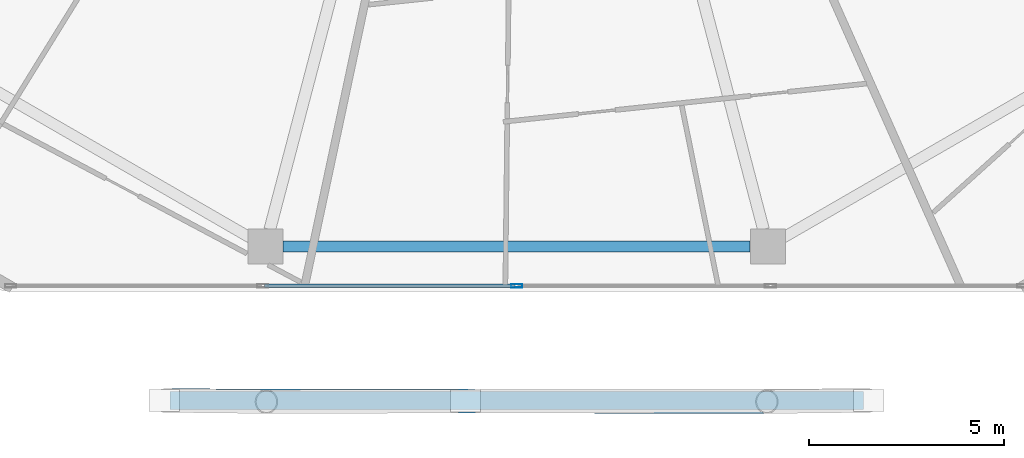
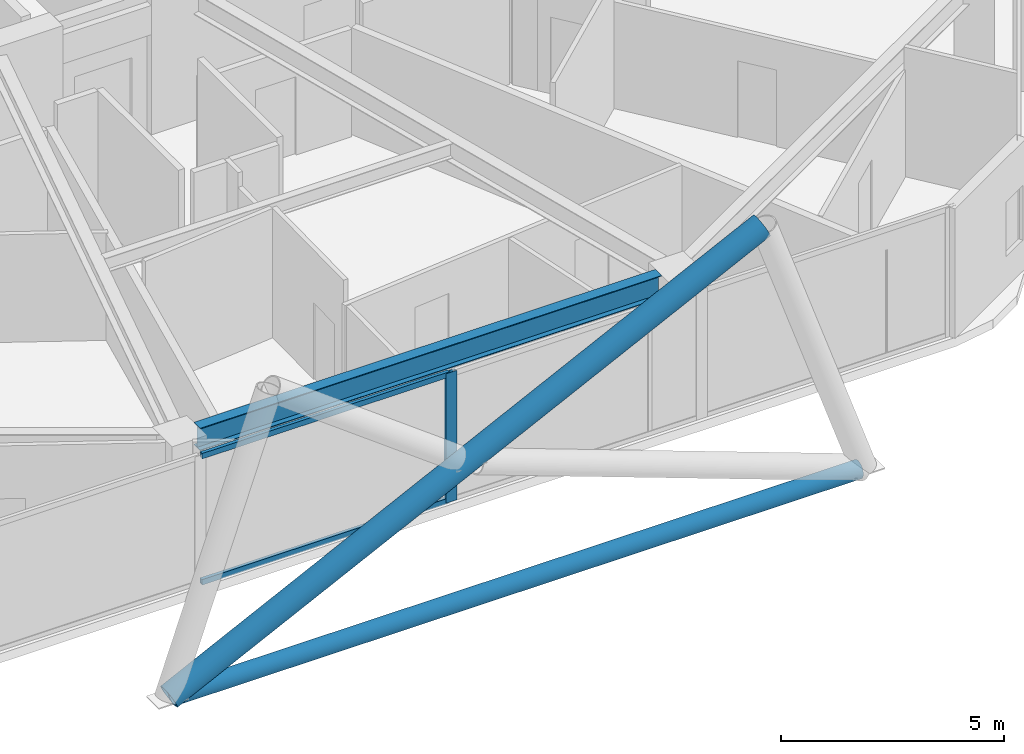
# One storey, part 4 of 29: 5 members, 1 beam, 1 element without a shape of its own.
"""IFC4 building model written with IfcOpenShell, lengths in metres."""

import ifcopenshell
import ifcopenshell.guid

model = None  # the IFC model being written
_history = None  # IfcOwnerHistory: only IFC2X3 demands one
_inside = {}  # id of a spatial element -> (the spatial element, [elements in it])
_under = {}  # id of a project, library or spatial element -> (it, [spatial elements below it])
_declared = {}  # id of a project -> (the project, [libraries it declares])
_typed = {}  # id of a type object -> (the type object, [elements of that type])
_made_of = {}  # id of a material, layer set ... -> (it, [elements and type objects made of it])


def new_model(schema):
    """Start an empty IFC model of exactly this schema.

    Asked for "IFC4X3", IfcOpenShell would pick the latest addendum, in which some entities
    have other attributes; the version numbers below select the first issue.
    IFC2X3 requires an IfcOwnerHistory on every rooted entity: one is made here for all.
    """
    global model, _history
    if schema == "IFC4X3":
        model = ifcopenshell.file(schema_version=(4, 3, 0, 0))
    else:
        model = ifcopenshell.file(schema=schema)
    _inside.clear()
    _under.clear()
    _declared.clear()
    _typed.clear()
    _made_of.clear()
    _history = None
    if model.schema == "IFC2X3":
        org = make("IfcOrganization", Name="unknown")
        user = make(
            "IfcPersonAndOrganization",
            ThePerson=make("IfcPerson", FamilyName="unknown"),
            TheOrganization=org,
        )
        app = make(
            "IfcApplication",
            ApplicationDeveloper=org,
            Version="unknown",
            ApplicationFullName="unknown",
            ApplicationIdentifier="unknown",
        )
        _history = make(
            "IfcOwnerHistory",
            OwningUser=user,
            OwningApplication=app,
            ChangeAction="ADDED",
            CreationDate=0,
        )
    return model


def make(cls, **values):
    """One entity of the class cls with the attributes given. An attribute that is None is left unset."""
    return model.create_entity(
        cls, **{name: value for name, value in values.items() if value is not None}
    )


def rooted(cls, **values):
    """An entity with a GlobalId (a new one), such as an element, a storey or a relation."""
    return make(cls, GlobalId=ifcopenshell.guid.new(), OwnerHistory=_history, **values)


def si_unit(unit_type, name, prefix=None):
    """IfcSIUnit, for example si_unit("LENGTHUNIT", "METRE", prefix="MILLI")."""
    return make("IfcSIUnit", UnitType=unit_type, Prefix=prefix, Name=name)


def assignment(units):
    """IfcUnitAssignment: the units of a project."""
    return None if units is None else make("IfcUnitAssignment", Units=units)


def point(xyz):
    """IfcCartesianPoint."""
    return None if xyz is None else make("IfcCartesianPoint", Coordinates=xyz)


def direction(xyz):
    """IfcDirection."""
    return None if xyz is None else make("IfcDirection", DirectionRatios=xyz)


def frame(location, z_axis=None, x_axis=None):
    """IfcAxis2Placement3D, a coordinate frame: its origin and axes. An axis left out is left unset."""
    return make(
        "IfcAxis2Placement3D",
        Location=point(location),
        Axis=direction(z_axis),
        RefDirection=direction(x_axis),
    )


def frame_2d(location, x_axis=None):
    """IfcAxis2Placement2D, a coordinate frame in the plane: its origin and x axis."""
    return make(
        "IfcAxis2Placement2D", Location=point(location), RefDirection=direction(x_axis)
    )


def origin():
    """The frame at (0, 0, 0) with its axes left unset."""
    return frame((0.0, 0.0, 0.0))


def origin_2d():
    """The frame at (0, 0) in the plane with its x axis left unset."""
    return frame_2d((0.0, 0.0))


def place(relative_to, where):
    """IfcLocalPlacement: puts the frame where relative to a parent placement (None: the world)."""
    return make(
        "IfcLocalPlacement", PlacementRelTo=relative_to, RelativePlacement=where
    )


def context(
    kind, dimensions, precision=None, world=None, true_north=None, identifier=None
):
    """IfcGeometricRepresentationContext, for example the 3D "Model" context."""
    return make(
        "IfcGeometricRepresentationContext",
        ContextIdentifier=identifier,
        ContextType=kind,
        CoordinateSpaceDimension=dimensions,
        Precision=precision,
        WorldCoordinateSystem=world,
        TrueNorth=true_north,
    )


def subcontext(parent, identifier, kind, view, scale=None):
    """IfcGeometricRepresentationSubContext, for example "Body" below "Model"."""
    return make(
        "IfcGeometricRepresentationSubContext",
        ContextIdentifier=identifier,
        ContextType=kind,
        ParentContext=parent,
        TargetScale=scale,
        TargetView=view,
    )


def project(units=None, contexts=None):
    """IfcProject with its units and contexts."""
    return rooted(
        "IfcProject",
        Name="project",
        RepresentationContexts=contexts,
        UnitsInContext=assignment(units),
    )


def spatial(cls, under=None, at=None, **own):
    """A site, building, storey or space (cls), placed at a placement, below another one or the project."""
    s = rooted(cls, ObjectPlacement=at, **own)
    if under is not None:
        _under.setdefault(under.id(), (under, []))[1].append(s)
    return s


def profile(cls, at=None, kind="AREA", **sizes):
    """A parametric profile (cls). Its sizes go by their IFC names, for example OverallWidth=200.0."""
    return make(cls, ProfileType=kind, Position=at, **sizes)


def hollow_rectangle(**sizes):
    """IfcRectangleHollowProfileDef."""
    return profile("IfcRectangleHollowProfileDef", **sizes)


def hollow_circle(**sizes):
    """IfcCircleHollowProfileDef."""
    return profile("IfcCircleHollowProfileDef", **sizes)


def i_section(**sizes):
    """IfcIShapeProfileDef."""
    return profile("IfcIShapeProfileDef", **sizes)


def extrude(swept, where, along, depth):
    """IfcExtrudedAreaSolid: the profile swept, set in the frame where, extruded along a direction by depth."""
    return make(
        "IfcExtrudedAreaSolid",
        SweptArea=swept,
        Position=where,
        ExtrudedDirection=direction(along),
        Depth=depth,
    )


def shape(context_of_items, identifier, shape_type, items):
    """IfcShapeRepresentation: the items that make up one representation, for example the "Body"."""
    return make(
        "IfcShapeRepresentation",
        ContextOfItems=context_of_items,
        RepresentationIdentifier=identifier,
        RepresentationType=shape_type,
        Items=items,
    )


def material(Name=None, Category=None):
    """IfcMaterial."""
    return make("IfcMaterial", Name=Name, Category=Category)


def material_profile(
    of_material, cross_section, Name=None, Category=None, Priority=None
):
    """IfcMaterialProfile: a cross section and its material."""
    return make(
        "IfcMaterialProfile",
        Name=Name,
        Material=of_material,
        Profile=cross_section,
        Priority=Priority,
        Category=Category,
    )


def profile_set(profiles, Name=None, composite=None):
    """IfcMaterialProfileSet."""
    return make(
        "IfcMaterialProfileSet",
        Name=Name,
        MaterialProfiles=profiles,
        CompositeProfile=composite,
    )


def made_of(thing, what):
    """Note that an element or type object is made of a material, layer set ...; save() writes the relation."""
    if what is not None:
        _made_of.setdefault(what.id(), (what, []))[1].append(thing)
    return thing


def type_object(cls, material=None, **own):
    """A type object (cls), such as IfcWallType, which elements share."""
    return made_of(rooted(cls, **own), material)


def element(
    cls,
    number,
    at=None,
    inside=None,
    cuts=None,
    type_object=None,
    material=None,
    context=None,
    identifier="Body",
    shape_type=None,
    held_by="IfcProductDefinitionShape",
    body=None,
    shapes=None,
    **own,
):
    """One element of the class cls, such as IfcWall. Its Tag is "e" and its number.

    at: its placement. inside: the storey or other place that contains it. cuts: it is an
    opening in that element (IfcRelVoidsElement). A single representation is given by context,
    identifier, shape_type and body (its items); several are given by shapes. held_by: the class
    of the entity that holds the representations. save() writes the other relations.
    """
    e = rooted(cls, Tag="e%d" % number, ObjectPlacement=at, **own)
    if body is not None:
        shapes = [shape(context, identifier, shape_type, body)]
    if shapes is not None:
        e.Representation = make(held_by, Representations=shapes)
    if inside is not None:
        _inside.setdefault(inside.id(), (inside, []))[1].append(e)
    if cuts is not None:
        rooted(
            "IfcRelVoidsElement", RelatingBuildingElement=cuts, RelatedOpeningElement=e
        )
    if type_object is not None:
        _typed.setdefault(type_object.id(), (type_object, []))[1].append(e)
    return made_of(e, material)


def aggregate(whole, parts):
    """IfcRelAggregates: a whole, such as a stair, and the parts it consists of."""
    return rooted("IfcRelAggregates", RelatingObject=whole, RelatedObjects=parts)


def save(model, path):
    """Write the relations noted so far, then the file.

    IfcRelAggregates (storeys below a building ...), IfcRelContainedInSpatialStructure (elements
    in a storey), IfcRelDefinesByType, IfcRelAssociatesMaterial and IfcRelDeclares: one each for
    every whole, place, type object, material and project.
    """
    for whole, parts in _under.values():
        aggregate(whole, parts)
    for where, things in _inside.values():
        rooted(
            "IfcRelContainedInSpatialStructure",
            RelatedElements=things,
            RelatingStructure=where,
        )
    for kind, things in _typed.values():
        rooted("IfcRelDefinesByType", RelatedObjects=things, RelatingType=kind)
    for what, things in _made_of.values():
        rooted("IfcRelAssociatesMaterial", RelatedObjects=things, RelatingMaterial=what)
    for by, libraries in _declared.values():
        rooted("IfcRelDeclares", RelatingContext=by, RelatedDefinitions=libraries)
    model.write(path)


model = new_model("IFC4")

# Units and contexts
model_context = context("Model", 3, precision=1e-05, world=origin(), true_north=direction((0.0, 1.0)))
body_context = subcontext(model_context, "Body", "Model", "MODEL_VIEW")
ifc_project = project(units=[si_unit("LENGTHUNIT", "METRE"), si_unit("AREAUNIT", "SQUARE_METRE"), si_unit("VOLUMEUNIT", "CUBIC_METRE"), si_unit("PLANEANGLEUNIT", "RADIAN"), si_unit("MASSUNIT", "GRAM", prefix="KILO")], contexts=[model_context])

# Site, building, storey
site_placement = place(None, origin())
site = spatial("IfcSite", under=ifc_project, at=site_placement, CompositionType="ELEMENT")
building_placement = place(site_placement, origin())
building = spatial("IfcBuilding", under=site, at=building_placement, Name="Zuhravey Tower", CompositionType="ELEMENT")
storey_placement = place(building_placement, frame((0.0, 0.0, 246.39990234375)))
storey = spatial("IfcBuildingStorey", under=building, at=storey_placement, Name="L62", CompositionType="ELEMENT", Elevation=246.39990234375)

# Curtain wall, members
ifc_material_1 = material(Name="Thermally broken anodised aluminium", Category="aluminium")
curtain_wall_type = type_object("IfcCurtainWallType", Name="Zone 3-4 High-Rise Curtain Wall CW4", PredefinedType="NOTDEFINED", material=ifc_material_1)
curtain_wall_placement = place(storey_placement, origin())
curtain_wall = element("IfcCurtainWall", 1, at=curtain_wall_placement, inside=storey, type_object=curtain_wall_type, Name="L62 CW4 CW-L62-F5-1", PredefinedType="NOTDEFINED")
ifc_material_2 = material(Name="Anodised aluminium", Category="aluminium")
ifc_material_profile_1 = material_profile(ifc_material_2, hollow_rectangle(XDim=0.090087890625, YDim=0.284912109375, WallThickness=0.0048828125, at=origin_2d()), Name="ALU-RHS-90x285x5")
ifc_profile_set_1 = profile_set([ifc_material_profile_1], Name="Anodised aluminium")
member_type_1 = type_object("IfcMemberType", Name="Curtain-Wall Mullion 90x180", PredefinedType="MULLION", material=ifc_profile_set_1)
member_1_placement = place(storey_placement, frame((36.0, 6.436279296875, 0.0), z_axis=(0.0, 0.0, 1.0), x_axis=(0.0, -1.0, 0.0)))
member_1 = element("IfcMember", 2, at=member_1_placement, type_object=member_type_1, Name="CW4 mullion 3", PredefinedType="MULLION", context=body_context, shape_type="SweptSolid", body=[
    extrude(hollow_rectangle(XDim=0.090087890625, YDim=0.284912109375, WallThickness=0.0048828125, at=origin_2d()), origin(), (0.0, 0.0, 1.0), 3.550048828125),
])
ifc_material_profile_2 = material_profile(ifc_material_2, hollow_rectangle(XDim=0.090087890625, YDim=0.14990234375, WallThickness=0.0048828125, at=origin_2d()), Name="ALU-RHS-90x150x5")
ifc_profile_set_2 = profile_set([ifc_material_profile_2], Name="Anodised aluminium")
member_type_2 = type_object("IfcMemberType", Name="Curtain-Wall Transom 90x150", PredefinedType="USERDEFINED", material=ifc_profile_set_2)
member_2_placement = place(storey_placement, frame((35.955078125, 6.436279296875, 0.045166015625), z_axis=(-1.0, 0.0, 0.0), x_axis=(0.0, -1.0, 0.0)))
member_2 = element("IfcMember", 3, at=member_2_placement, type_object=member_type_2, Name="CW4 transom 3.1", ObjectType="TRANSOM", PredefinedType="USERDEFINED", context=body_context, shape_type="SweptSolid", body=[
    extrude(hollow_rectangle(XDim=0.090087890625, YDim=0.14990234375, WallThickness=0.0048828125, at=origin_2d()), origin(), (0.0, 0.0, 1.0), 6.41650390625),
])
member_3_placement = place(storey_placement, frame((35.955078125, 6.436279296875, 3.505126953125), z_axis=(-1.0, 0.0, 0.0), x_axis=(0.0, -1.0, 0.0)))
member_3 = element("IfcMember", 4, at=member_3_placement, type_object=member_type_2, Name="CW4 transom 3.2", ObjectType="TRANSOM", PredefinedType="USERDEFINED", context=body_context, shape_type="SweptSolid", body=[
    extrude(hollow_rectangle(XDim=0.090087890625, YDim=0.14990234375, WallThickness=0.0048828125, at=origin_2d()), origin(), (0.0, 0.0, 1.0), 6.41650390625),
])
aggregate(curtain_wall, [member_1, member_2, member_3])

# Members
ifc_material_3 = material(Name="Steel SM355", Category="steel")
ifc_material_profile_3 = material_profile(ifc_material_3, hollow_circle(Radius=0.228515625, WallThickness=0.02197265625, at=origin_2d()), Name="CHS-457.2x22")
ifc_profile_set_3 = profile_set([ifc_material_profile_3], Name="Steel SM355")
member_type_3 = type_object("IfcMemberType", Name="Exoskeleton Ring Tie CHS457x22", PredefinedType="CHORD", material=ifc_profile_set_3)
member_4_placement = place(storey_placement, frame((27.111083984375, 3.496337890625, -0.4638671875), z_axis=(1.0, 0.0, 0.0), x_axis=(0.0, 1.0, 0.0)))
element("IfcMember", 5, at=member_4_placement, inside=storey, type_object=member_type_3, Name="L62 Exoskeleton Face 5 Tie EXR1", PredefinedType="CHORD", context=body_context, shape_type="SweptSolid", body=[
    extrude(hollow_circle(Radius=0.228515625, WallThickness=0.02197265625, at=origin_2d()), origin(), (0.0, 0.0, 1.0), 17.77783203125),
])
ifc_material_profile_4 = material_profile(ifc_material_3, hollow_circle(Radius=0.3046875, WallThickness=0.028076171875, at=origin_2d()), Name="CHS-609.6x28")
ifc_profile_set_4 = profile_set([ifc_material_profile_4], Name="Steel SM355")
member_type_4 = type_object("IfcMemberType", Name="Exoskeleton Zone 3 Diagrid CHS610x28", PredefinedType="BRACE", material=ifc_profile_set_4)
member_5_placement = place(storey_placement, frame((27.007568359375, 3.496337890625, -0.44580078125), z_axis=(0.897160453497, -0.001739318523, 0.441701364558), x_axis=(0.001938689169, 0.99999812074, 0.0)))
element("IfcMember", 6, at=member_5_placement, inside=storey, type_object=member_type_4, Name="L62 Face 5 Diagrid Brace 2", PredefinedType="BRACE", context=body_context, shape_type="SweptSolid", body=[
    extrude(hollow_circle(Radius=0.3046875, WallThickness=0.028076171875, at=origin_2d()), origin(), (0.0, 0.0, 1.0), 17.12451171875),
])

# Beam
ifc_material_profile_5 = material_profile(ifc_material_3, i_section(OverallWidth=0.280029296875, OverallDepth=0.6201171875, WebThickness=0.011962890625, FlangeThickness=0.02001953125, at=origin_2d()), Name="H-620x280x12x20")
ifc_profile_set_5 = profile_set([ifc_material_profile_5], Name="Steel SM355")
beam_type = type_object("IfcBeamType", Name="Perimeter Ring Beam H620x280", PredefinedType="BEAM", material=ifc_profile_set_5)
beam_placement = place(storey_placement, frame((30.01220703125, 7.4462890625, 3.239990234375), z_axis=(1.0, 0.0, 0.0), x_axis=(0.0, 1.0, 0.0)))
element("IfcBeam", 7, at=beam_placement, inside=storey, type_object=beam_type, Name="L62 PB3 BM-L62-PB-09", PredefinedType="BEAM", context=body_context, shape_type="SweptSolid", body=[
    extrude(i_section(OverallWidth=0.280029296875, OverallDepth=0.6201171875, WebThickness=0.011962890625, FlangeThickness=0.02001953125, at=origin_2d()), origin(), (0.0, 0.0, 1.0), 11.9755859375),
])

save(model, "model.ifc")
